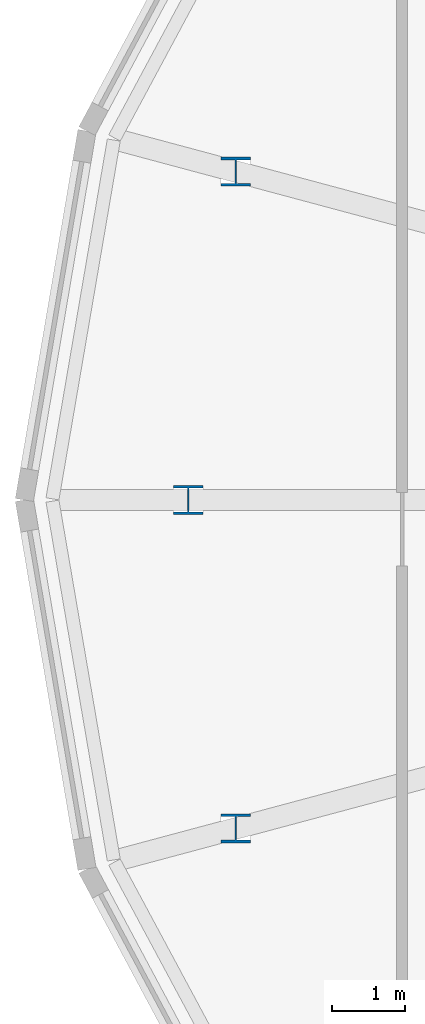
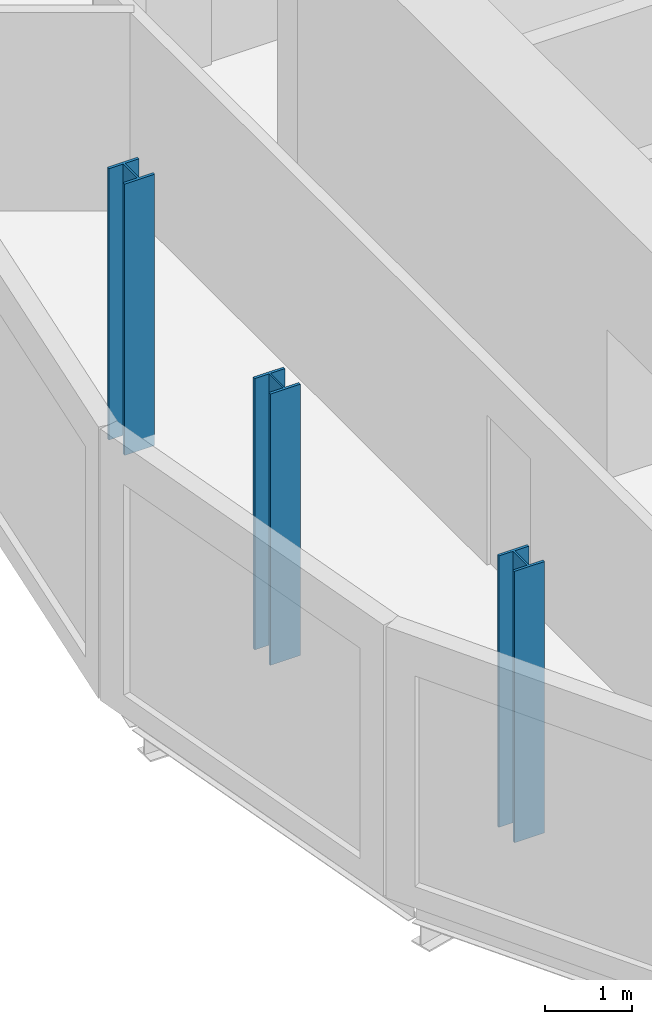
# One storey, part 1 of 34: 3 columns.
"""IFC4 building model written with IfcOpenShell, lengths in metres."""

from ifc_helpers import new_model, si_unit, direction, frame, origin, origin_2d, place, context, subcontext, project, spatial, i_section, extrude, material, material_profile, profile_set, type_object, element, save


model = new_model("IFC4")

# Units and contexts
model_context = context("Model", 3, precision=1e-05, world=origin(), true_north=direction((0.0, 1.0)))
body_context = subcontext(model_context, "Body", "Model", "MODEL_VIEW")
ifc_project = project(units=[si_unit("LENGTHUNIT", "METRE"), si_unit("AREAUNIT", "SQUARE_METRE"), si_unit("VOLUMEUNIT", "CUBIC_METRE"), si_unit("PLANEANGLEUNIT", "RADIAN"), si_unit("MASSUNIT", "GRAM", prefix="KILO")], contexts=[model_context])

# Site, building, storey
site_placement = place(None, origin())
site = spatial("IfcSite", under=ifc_project, at=site_placement, CompositionType="ELEMENT")
building_placement = place(site_placement, origin())
building = spatial("IfcBuilding", under=site, at=building_placement, Name="Rimbun Link Towers", CompositionType="ELEMENT")
storey_placement = place(building_placement, frame((0.0, 0.0, 41.39990234375)))
storey = spatial("IfcBuildingStorey", under=building, at=storey_placement, Name="L09", CompositionType="ELEMENT", Elevation=41.39990234375)

# Columns
ifc_material = material(Name="Steel S355J2", Category="steel")
ifc_material_profile = material_profile(ifc_material, i_section(OverallWidth=0.39892578125, OverallDepth=0.3935546875, WebThickness=0.022705078125, FlangeThickness=0.03662109375, at=origin_2d()), Name="UC 356x406x287")
ifc_profile_set = profile_set([ifc_material_profile], Name="Steel S355J2")
column_type = type_object("IfcColumnType", Name="UC 356x406x287", PredefinedType="COLUMN", material=ifc_profile_set)
for number, where, z_axis, x_axis, name in (
    (1, (-48.438232421875, 4.4716796875, -0.159912109375), (0.0, 0.0, 1.0), (1.0, 0.0, 0.0), "Crease post T1 L09 11"),
    (2, (-49.0888671875, 0.0, -0.159912109375), (0.0, 0.0, 1.0), (1.0, 0.0, 0.0), "Crease post T1 L09 12"),
    (3, (-48.438232421875, -4.4716796875, -0.159912109375), (0.0, 0.0, 1.0), (1.0, 0.0, 0.0), "Crease post T1 L09 13"),
):
    element("IfcColumn", number, at=place(storey_placement, frame(where, z_axis=z_axis, x_axis=x_axis)), inside=storey, type_object=column_type, Name=name, PredefinedType="COLUMN", context=body_context, shape_type="SweptSolid", body=[
        extrude(i_section(OverallWidth=0.39892578125, OverallDepth=0.3935546875, WebThickness=0.022705078125, FlangeThickness=0.03662109375, at=origin_2d()), origin(), (0.0, 0.0, 1.0), 3.800048828125),
    ])

save(model, "model.ifc")
